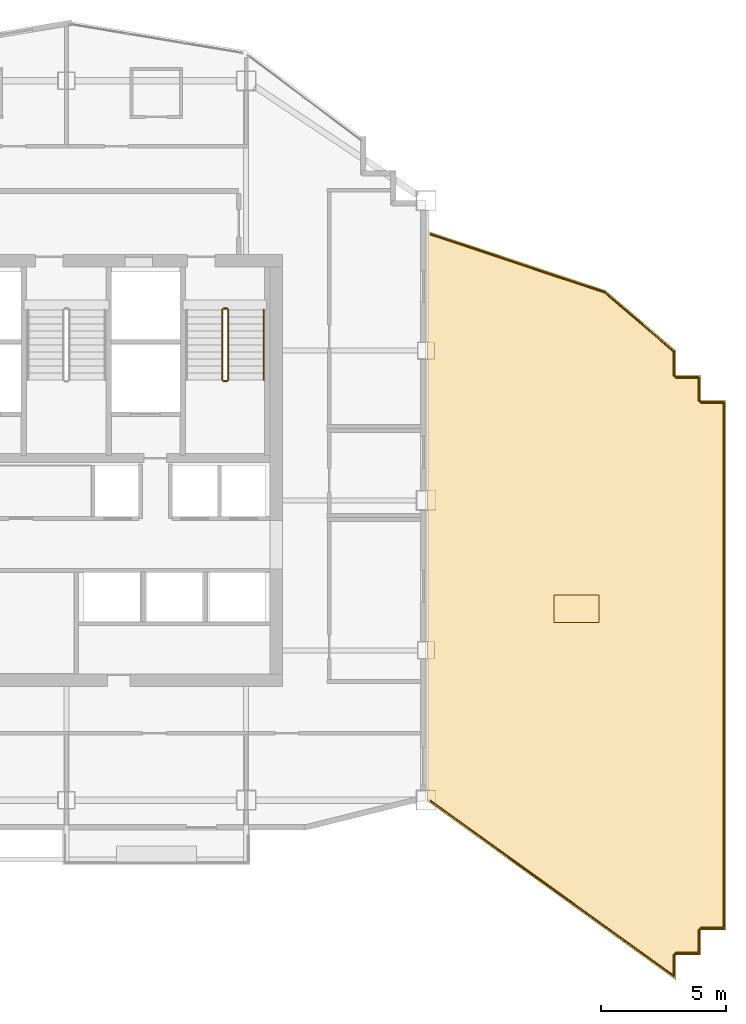
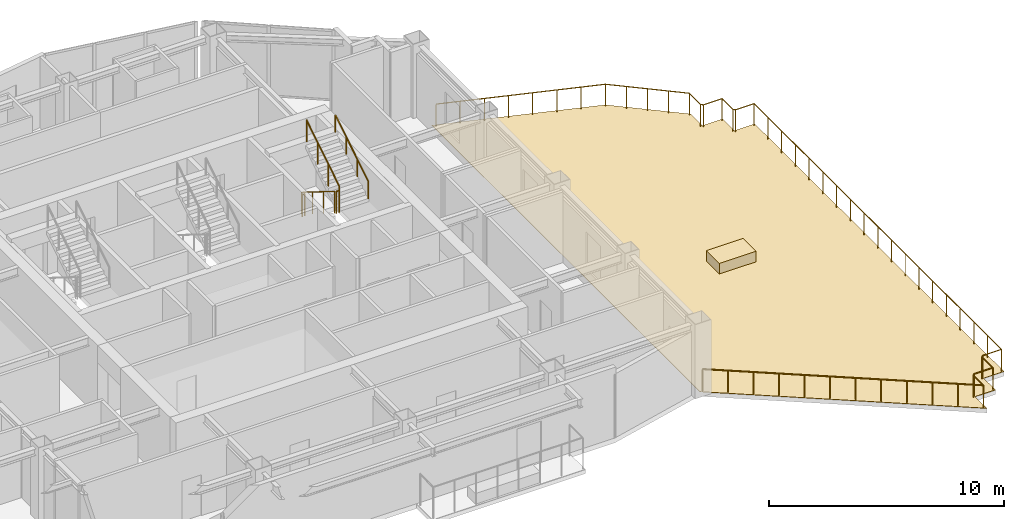
# One storey, part 10 of 10: 7 railings, 2 coverings.
"""IFC4 building model written with IfcOpenShell, lengths in metres."""

from ifc_helpers import new_model, si_unit, direction, frame, origin, origin_2d, place, context, subcontext, project, spatial, polyline, rectangle, circle, outline, extrude, material, layer, layer_set, type_object, element, save


model = new_model("IFC4")

# Units and contexts
model_context = context("Model", 3, precision=1e-05, world=origin(), true_north=direction((0.0, 1.0)))
body_context = subcontext(model_context, "Body", "Model", "MODEL_VIEW")
ifc_project = project(units=[si_unit("LENGTHUNIT", "METRE"), si_unit("AREAUNIT", "SQUARE_METRE"), si_unit("VOLUMEUNIT", "CUBIC_METRE"), si_unit("PLANEANGLEUNIT", "RADIAN"), si_unit("MASSUNIT", "GRAM", prefix="KILO")], contexts=[model_context])

# Site, building, storey
site_placement = place(None, origin())
site = spatial("IfcSite", under=ifc_project, at=site_placement, CompositionType="ELEMENT")
building_placement = place(site_placement, origin())
building = spatial("IfcBuilding", under=site, at=building_placement, Name="Haolan Belvedere Tower", CompositionType="ELEMENT")
storey_placement = place(building_placement, frame((0.0, 0.0, 235.199951171875)))
storey = spatial("IfcBuildingStorey", under=building, at=storey_placement, Name="L59", CompositionType="ELEMENT", Elevation=235.199951171875)

# Coverings
ifc_material_1 = material(Name="Engineered lightweight planted garden soil substrate", Category="masonry")
ifc_layer_1 = layer(ifc_material_1, 0.550048828125, Name="Engineered lightweight planted garden soil substrate")
ifc_layer_set_1 = layer_set([ifc_layer_1], Name="Engineered lightweight planted garden soil substrate")
covering_type_1 = type_object("IfcCoveringType", Name="COV-PLANT-550", PredefinedType="MEMBRANE", material=ifc_layer_set_1)
covering_1_placement = place(storey_placement, frame((58.824951171875, 29.26171875, 0.0), z_axis=(0.0, 0.0, 1.0), x_axis=(1.0, 0.0, 0.0)))
element("IfcCovering", 1, at=covering_1_placement, inside=storey, type_object=covering_type_1, Name="L59 cascade garden terrace PLANTER bed 1", PredefinedType="MEMBRANE", context=body_context, shape_type="SweptSolid", body=[
    extrude(rectangle(XDim=1.800048828125, YDim=1.10009765625, at=origin_2d()), origin(), (0.0, 0.0, 1.0), 0.550048828125),
])
ifc_material_2 = material(Name="Elastomeric waterproof roofing membrane and stone pavers", Category="masonry")
ifc_layer_2 = layer(ifc_material_2, 0.02001953125, Name="Elastomeric waterproof roofing membrane and stone pavers")
ifc_layer_set_2 = layer_set([ifc_layer_2], Name="Elastomeric waterproof roofing membrane and stone pavers")
covering_type_2 = type_object("IfcCoveringType", Name="COV-ROOF-20", PredefinedType="ROOFING", material=ifc_layer_set_2)
covering_2_placement = place(storey_placement, frame((0.0, 0.0, -0.02001953125)))
element("IfcCovering", 2, at=covering_2_placement, inside=storey, type_object=covering_type_2, Name="L59 garden terrace waterproof roofing paver 1", PredefinedType="ROOFING", context=body_context, shape_type="SweptSolid", body=[
    extrude(outline(polyline([(62.800048828125, 14.39990234375), (62.800048828125, 15.396240234375), (62.80029296875, 15.39990234375), (62.8037109375, 15.39990234375), (63.800048828125, 15.39990234375), (63.800048828125, 16.396240234375), (63.80029296875, 16.39990234375), (63.8037109375, 16.39990234375), (64.800048828125, 16.39990234375), (64.800048828125, 37.60009765625), (63.8037109375, 37.60009765625), (63.80029296875, 37.60009765625), (63.800048828125, 37.603759765625), (63.800048828125, 38.60009765625), (62.8037109375, 38.60009765625), (62.80029296875, 38.60009765625), (62.800048828125, 38.603759765625), (62.800048828125, 39.60009765625), (60.0, 42.0), (52.85009765625, 44.38330078125), (52.85009765625, 21.56396484375), (62.800048828125, 14.39990234375)])), origin(), (0.0, 0.0, 1.0), 0.02001953125),
])

# Railings
ifc_material_3 = material(Name="Brushed stainless steel 304", Category="steel")
railing_type_1 = type_object("IfcRailingType", Name="RL-STAIR-GRD-1150", PredefinedType="GUARDRAIL", material=ifc_material_3)
railing_1_placement = place(storey_placement, frame((44.639892578125, 41.22998046875, 0.175048828125)))
element("IfcRailing", 3, at=railing_1_placement, inside=storey, type_object=railing_type_1, Name="L59 ST2 stair guard 1", PredefinedType="GUARDRAIL", context=body_context, shape_type="SweptSolid", body=[
    extrude(circle(Radius=0.02392578125, at=origin_2d()), frame((0.0, 0.0, 1.1259765625), z_axis=(0.0, -0.848002457836, 0.529992293815), x_axis=(1.0, 0.0, 0.0)), (0.0, 0.0, 1.0), 3.302001953125),
    extrude(circle(Radius=0.02099609375, at=origin_2d()), origin(), (0.0, 0.0, 1.0), 1.101806640625),
    extrude(circle(Radius=0.02099609375, at=origin_2d()), frame((0.0, -0.933349609375, 0.583251953125)), (0.0, 0.0, 1.0), 1.101806640625),
    extrude(circle(Radius=0.02099609375, at=origin_2d()), frame((0.0, -1.86669921875, 1.166748046875)), (0.0, 0.0, 1.0), 1.101806640625),
    extrude(circle(Radius=0.02099609375, at=origin_2d()), frame((0.0, -2.800048828125, 1.75)), (0.0, 0.0, 1.0), 1.101806640625),
])
railing_2_placement = place(storey_placement, frame((44.68994140625, 38.3798828125, 1.925048828125)))
element("IfcRailing", 4, at=railing_2_placement, inside=storey, type_object=railing_type_1, Name="L59 ST2 stair guard 2", PredefinedType="GUARDRAIL", context=body_context, shape_type="SweptSolid", body=[
    extrude(circle(Radius=0.02392578125, at=origin_2d()), frame((0.0, 0.0, 1.1259765625), z_axis=(1.0, 0.0, 0.0), x_axis=(0.0, 1.0, 0.0)), (0.0, 0.0, 1.0), 0.14013671875),
    extrude(circle(Radius=0.02099609375, at=origin_2d()), origin(), (0.0, 0.0, 1.0), 1.101806640625),
    extrude(circle(Radius=0.02099609375, at=origin_2d()), frame((0.14013671875, 0.0, 0.0)), (0.0, 0.0, 1.0), 1.101806640625),
])
railing_3_placement = place(storey_placement, frame((44.8798828125, 38.429931640625, 2.10009765625)))
element("IfcRailing", 5, at=railing_3_placement, inside=storey, type_object=railing_type_1, Name="L59 ST2 stair guard 3", PredefinedType="GUARDRAIL", context=body_context, shape_type="SweptSolid", body=[
    extrude(circle(Radius=0.02392578125, at=origin_2d()), frame((0.0, 0.0, 1.1259765625), z_axis=(0.0, 0.848002457836, 0.529992293815), x_axis=(-1.0, 0.0, 0.0)), (0.0, 0.0, 1.0), 3.302001953125),
    extrude(circle(Radius=0.02099609375, at=origin_2d()), origin(), (0.0, 0.0, 1.0), 1.101806640625),
    extrude(circle(Radius=0.02099609375, at=origin_2d()), frame((0.0, 0.933349609375, 0.583251953125)), (0.0, 0.0, 1.0), 1.101806640625),
    extrude(circle(Radius=0.02099609375, at=origin_2d()), frame((0.0, 1.86669921875, 1.166748046875)), (0.0, 0.0, 1.0), 1.101806640625),
    extrude(circle(Radius=0.02099609375, at=origin_2d()), frame((0.0, 2.800048828125, 1.75)), (0.0, 0.0, 1.0), 1.101806640625),
])
railing_4_placement = place(storey_placement, frame((44.68994140625, 41.280029296875, 0.0)))
element("IfcRailing", 6, at=railing_4_placement, inside=storey, type_object=railing_type_1, Name="L59 ST2 stair guard 4", PredefinedType="GUARDRAIL", context=body_context, shape_type="SweptSolid", body=[
    extrude(circle(Radius=0.02392578125, at=origin_2d()), frame((0.0, 0.0, 1.1259765625), z_axis=(1.0, 0.0, 0.0), x_axis=(0.0, 1.0, 0.0)), (0.0, 0.0, 1.0), 0.14013671875),
    extrude(circle(Radius=0.02099609375, at=origin_2d()), origin(), (0.0, 0.0, 1.0), 1.101806640625),
    extrude(circle(Radius=0.02099609375, at=origin_2d()), frame((0.14013671875, 0.0, 0.0)), (0.0, 0.0, 1.0), 1.101806640625),
])
railing_type_2 = type_object("IfcRailingType", Name="RL-STAIR-HND-900", PredefinedType="HANDRAIL", material=ifc_material_3)
railing_5_placement = place(storey_placement, frame((46.300048828125, 38.429931640625, 2.10009765625)))
element("IfcRailing", 7, at=railing_5_placement, inside=storey, type_object=railing_type_2, Name="L59 ST2 stair handrail 2", PredefinedType="HANDRAIL", context=body_context, shape_type="SweptSolid", body=[
    extrude(circle(Radius=0.02392578125, at=origin_2d()), frame((0.0, 0.0, 0.8759765625), z_axis=(0.0, 0.848002457836, 0.529992293815), x_axis=(-1.0, 0.0, 0.0)), (0.0, 0.0, 1.0), 3.302001953125),
    extrude(circle(Radius=0.02099609375, at=origin_2d()), origin(), (0.0, 0.0, 1.0), 0.851806640625),
    extrude(circle(Radius=0.02099609375, at=origin_2d()), frame((0.0, 0.933349609375, 0.583251953125)), (0.0, 0.0, 1.0), 0.851806640625),
    extrude(circle(Radius=0.02099609375, at=origin_2d()), frame((0.0, 1.86669921875, 1.166748046875)), (0.0, 0.0, 1.0), 0.851806640625),
    extrude(circle(Radius=0.02099609375, at=origin_2d()), frame((0.0, 2.800048828125, 1.75)), (0.0, 0.0, 1.0), 0.851806640625),
])
ifc_material_4 = material(Name="Anodised aluminium and laminated glass balustrade", Category="aluminium")
railing_type_3 = type_object("IfcRailingType", Name="RL-TER-BAL-1150", PredefinedType="BALUSTRADE", material=ifc_material_4)
railing_6_placement = place(storey_placement, frame((62.719970703125, 14.55615234375, 0.0)))
element("IfcRailing", 8, at=railing_6_placement, inside=storey, type_object=railing_type_3, Name="L59 outdoor perimeter balustrade TERR-L59-1-1", PredefinedType="BALUSTRADE", context=body_context, shape_type="SweptSolid", body=[
    extrude(circle(Radius=0.02392578125, at=origin_2d()), frame((0.0, 0.0, 1.1259765625), z_axis=(-0.81152855402, 0.584312763861, 0.0), x_axis=(-0.584312763861, -0.81152855402, 0.0)), (0.0, 0.0, 1.0), 12.001953125),
    extrude(circle(Radius=0.02099609375, at=origin_2d()), origin(), (0.0, 0.0, 1.0), 1.101806640625),
    extrude(circle(Radius=0.02099609375, at=origin_2d()), frame((-0.885498046875, 0.637451171875, 0.0)), (0.0, 0.0, 1.0), 1.101806640625),
    extrude(circle(Radius=0.02099609375, at=origin_2d()), frame((-1.77099609375, 1.275146484375, 0.0)), (0.0, 0.0, 1.0), 1.101806640625),
    extrude(circle(Radius=0.02099609375, at=origin_2d()), frame((-2.65625, 1.91259765625, 0.0)), (0.0, 0.0, 1.0), 1.101806640625),
    extrude(circle(Radius=0.02099609375, at=origin_2d()), frame((-3.541748046875, 2.550048828125, 0.0)), (0.0, 0.0, 1.0), 1.101806640625),
    extrude(circle(Radius=0.02099609375, at=origin_2d()), frame((-4.42724609375, 3.187744140625, 0.0)), (0.0, 0.0, 1.0), 1.101806640625),
    extrude(circle(Radius=0.02099609375, at=origin_2d()), frame((-5.312744140625, 3.8251953125, 0.0)), (0.0, 0.0, 1.0), 1.101806640625),
    extrude(circle(Radius=0.02099609375, at=origin_2d()), frame((-6.1982421875, 4.462890625, 0.0)), (0.0, 0.0, 1.0), 1.101806640625),
    extrude(circle(Radius=0.02099609375, at=origin_2d()), frame((-7.083740234375, 5.100341796875, 0.0)), (0.0, 0.0, 1.0), 1.101806640625),
    extrude(circle(Radius=0.02099609375, at=origin_2d()), frame((-7.968994140625, 5.73779296875, 0.0)), (0.0, 0.0, 1.0), 1.101806640625),
    extrude(circle(Radius=0.02099609375, at=origin_2d()), frame((-8.8544921875, 6.37548828125, 0.0)), (0.0, 0.0, 1.0), 1.101806640625),
    extrude(circle(Radius=0.02099609375, at=origin_2d()), frame((-9.739990234375, 7.012939453125, 0.0)), (0.0, 0.0, 1.0), 1.101806640625),
])
railing_7_placement = place(storey_placement, frame((52.97998046875, 44.255615234375, 0.0)))
element("IfcRailing", 9, at=railing_7_placement, inside=storey, type_object=railing_type_3, Name="L59 outdoor perimeter balustrade TERR-L59-1-2", PredefinedType="BALUSTRADE", context=body_context, shape_type="SweptSolid", body=[
    extrude(circle(Radius=0.02392578125, at=origin_2d()), frame((0.0, 0.0, 1.1259765625), z_axis=(0.94868993459, -0.316207855703, 0.0), x_axis=(0.316207855703, 0.94868993459, 0.0)), (0.0, 0.0, 1.0), 7.357177734375),
    extrude(circle(Radius=0.02392578125, at=origin_2d()), frame((6.979736328125, -2.326416015625, 1.1259765625), z_axis=(0.759251862008, -0.650796903832, 0.0), x_axis=(0.650796903832, 0.759251862008, 0.0)), (0.0, 0.0, 1.0), 3.635498046875),
    extrude(circle(Radius=0.02392578125, at=origin_2d()), frame((9.739990234375, -4.6923828125, 1.1259765625), z_axis=(0.0, -1.0, 0.0), x_axis=(1.0, 0.0, 0.0)), (0.0, 0.0, 1.0), 0.9619140625),
    extrude(circle(Radius=0.02392578125, at=origin_2d()), frame((9.739990234375, -5.654296875, 1.1259765625), z_axis=(0.708166115403, -0.706045857572, 0.0), x_axis=(0.706045857572, 0.708166115403, 0.0)), (0.0, 0.0, 1.0), 0.115234375),
    extrude(circle(Radius=0.02392578125, at=origin_2d()), frame((9.821533203125, -5.735595703125, 1.1259765625), z_axis=(1.0, 0.0, 0.0), x_axis=(0.0, 1.0, 0.0)), (0.0, 0.0, 1.0), 0.91845703125),
    extrude(circle(Radius=0.02392578125, at=origin_2d()), frame((10.739990234375, -5.735595703125, 1.1259765625), z_axis=(0.0, -1.0, 0.0), x_axis=(1.0, 0.0, 0.0)), (0.0, 0.0, 1.0), 0.918701171875),
    extrude(circle(Radius=0.02392578125, at=origin_2d()), frame((10.739990234375, -6.654296875, 1.1259765625), z_axis=(0.708166115403, -0.706045857572, 0.0), x_axis=(0.706045857572, 0.708166115403, 0.0)), (0.0, 0.0, 1.0), 0.115234375),
    extrude(circle(Radius=0.02392578125, at=origin_2d()), frame((10.821533203125, -6.735595703125, 1.1259765625), z_axis=(1.0, 0.0, 0.0), x_axis=(0.0, 1.0, 0.0)), (0.0, 0.0, 1.0), 0.91845703125),
    extrude(circle(Radius=0.02392578125, at=origin_2d()), frame((11.739990234375, -6.735595703125, 1.1259765625), z_axis=(0.0, -1.0, 0.0), x_axis=(1.0, 0.0, 0.0)), (0.0, 0.0, 1.0), 21.0400390625),
    extrude(circle(Radius=0.02392578125, at=origin_2d()), frame((11.739990234375, -27.775634765625, 1.1259765625), z_axis=(-1.0, 0.0, 0.0), x_axis=(0.0, -1.0, 0.0)), (0.0, 0.0, 1.0), 0.91845703125),
    extrude(circle(Radius=0.02392578125, at=origin_2d()), frame((10.821533203125, -27.775634765625, 1.1259765625), z_axis=(-0.708166115403, -0.706045857572, 0.0), x_axis=(0.706045857572, -0.708166115403, 0.0)), (0.0, 0.0, 1.0), 0.115234375),
    extrude(circle(Radius=0.02392578125, at=origin_2d()), frame((10.739990234375, -27.85693359375, 1.1259765625), z_axis=(0.0, -1.0, 0.0), x_axis=(1.0, 0.0, 0.0)), (0.0, 0.0, 1.0), 0.918701171875),
    extrude(circle(Radius=0.02392578125, at=origin_2d()), frame((10.739990234375, -28.775634765625, 1.1259765625), z_axis=(-1.0, 0.0, 0.0), x_axis=(0.0, -1.0, 0.0)), (0.0, 0.0, 1.0), 0.91845703125),
    extrude(circle(Radius=0.02392578125, at=origin_2d()), frame((9.821533203125, -28.775634765625, 1.1259765625), z_axis=(-0.708166115403, -0.706045857572, 0.0), x_axis=(0.706045857572, -0.708166115403, 0.0)), (0.0, 0.0, 1.0), 0.115234375),
    extrude(circle(Radius=0.02392578125, at=origin_2d()), frame((9.739990234375, -28.85693359375, 1.1259765625), z_axis=(0.0, -1.0, 0.0), x_axis=(1.0, 0.0, 0.0)), (0.0, 0.0, 1.0), 0.842529296875),
    extrude(circle(Radius=0.02099609375, at=origin_2d()), origin(), (0.0, 0.0, 1.0), 1.101806640625),
    extrude(circle(Radius=0.02099609375, at=origin_2d()), frame((0.9970703125, -0.332275390625, 0.0)), (0.0, 0.0, 1.0), 1.101806640625),
    extrude(circle(Radius=0.02099609375, at=origin_2d()), frame((1.994140625, -0.664794921875, 0.0)), (0.0, 0.0, 1.0), 1.101806640625),
    extrude(circle(Radius=0.02099609375, at=origin_2d()), frame((2.9912109375, -0.9970703125, 0.0)), (0.0, 0.0, 1.0), 1.101806640625),
    extrude(circle(Radius=0.02099609375, at=origin_2d()), frame((3.988525390625, -1.329345703125, 0.0)), (0.0, 0.0, 1.0), 1.101806640625),
    extrude(circle(Radius=0.02099609375, at=origin_2d()), frame((4.985595703125, -1.66162109375, 0.0)), (0.0, 0.0, 1.0), 1.101806640625),
    extrude(circle(Radius=0.02099609375, at=origin_2d()), frame((5.982666015625, -1.994140625, 0.0)), (0.0, 0.0, 1.0), 1.101806640625),
    extrude(circle(Radius=0.02099609375, at=origin_2d()), frame((6.979736328125, -2.326416015625, 0.0)), (0.0, 0.0, 1.0), 1.101806640625),
    extrude(circle(Radius=0.02099609375, at=origin_2d()), frame((7.669921875, -2.91796875, 0.0)), (0.0, 0.0, 1.0), 1.101806640625),
    extrude(circle(Radius=0.02099609375, at=origin_2d()), frame((8.35986328125, -3.50927734375, 0.0)), (0.0, 0.0, 1.0), 1.101806640625),
    extrude(circle(Radius=0.02099609375, at=origin_2d()), frame((9.0498046875, -4.100830078125, 0.0)), (0.0, 0.0, 1.0), 1.101806640625),
    extrude(circle(Radius=0.02099609375, at=origin_2d()), frame((9.739990234375, -4.6923828125, 0.0)), (0.0, 0.0, 1.0), 1.101806640625),
    extrude(circle(Radius=0.02099609375, at=origin_2d()), frame((9.739990234375, -5.654296875, 0.0)), (0.0, 0.0, 1.0), 1.101806640625),
    extrude(circle(Radius=0.02099609375, at=origin_2d()), frame((9.821533203125, -5.735595703125, 0.0)), (0.0, 0.0, 1.0), 1.101806640625),
    extrude(circle(Radius=0.02099609375, at=origin_2d()), frame((10.739990234375, -5.735595703125, 0.0)), (0.0, 0.0, 1.0), 1.101806640625),
    extrude(circle(Radius=0.02099609375, at=origin_2d()), frame((10.739990234375, -6.654296875, 0.0)), (0.0, 0.0, 1.0), 1.101806640625),
    extrude(circle(Radius=0.02099609375, at=origin_2d()), frame((10.821533203125, -6.735595703125, 0.0)), (0.0, 0.0, 1.0), 1.101806640625),
    extrude(circle(Radius=0.02099609375, at=origin_2d()), frame((11.739990234375, -6.735595703125, 0.0)), (0.0, 0.0, 1.0), 1.101806640625),
    extrude(circle(Radius=0.02099609375, at=origin_2d()), frame((11.739990234375, -7.904541015625, 0.0)), (0.0, 0.0, 1.0), 1.101806640625),
    extrude(circle(Radius=0.02099609375, at=origin_2d()), frame((11.739990234375, -9.073486328125, 0.0)), (0.0, 0.0, 1.0), 1.101806640625),
    extrude(circle(Radius=0.02099609375, at=origin_2d()), frame((11.739990234375, -10.2421875, 0.0)), (0.0, 0.0, 1.0), 1.101806640625),
    extrude(circle(Radius=0.02099609375, at=origin_2d()), frame((11.739990234375, -11.4111328125, 0.0)), (0.0, 0.0, 1.0), 1.101806640625),
    extrude(circle(Radius=0.02099609375, at=origin_2d()), frame((11.739990234375, -12.580078125, 0.0)), (0.0, 0.0, 1.0), 1.101806640625),
    extrude(circle(Radius=0.02099609375, at=origin_2d()), frame((11.739990234375, -13.7490234375, 0.0)), (0.0, 0.0, 1.0), 1.101806640625),
    extrude(circle(Radius=0.02099609375, at=origin_2d()), frame((11.739990234375, -14.917724609375, 0.0)), (0.0, 0.0, 1.0), 1.101806640625),
    extrude(circle(Radius=0.02099609375, at=origin_2d()), frame((11.739990234375, -16.086669921875, 0.0)), (0.0, 0.0, 1.0), 1.101806640625),
    extrude(circle(Radius=0.02099609375, at=origin_2d()), frame((11.739990234375, -17.255615234375, 0.0)), (0.0, 0.0, 1.0), 1.101806640625),
    extrude(circle(Radius=0.02099609375, at=origin_2d()), frame((11.739990234375, -18.424560546875, 0.0)), (0.0, 0.0, 1.0), 1.101806640625),
    extrude(circle(Radius=0.02099609375, at=origin_2d()), frame((11.739990234375, -19.593505859375, 0.0)), (0.0, 0.0, 1.0), 1.101806640625),
    extrude(circle(Radius=0.02099609375, at=origin_2d()), frame((11.739990234375, -20.76220703125, 0.0)), (0.0, 0.0, 1.0), 1.101806640625),
    extrude(circle(Radius=0.02099609375, at=origin_2d()), frame((11.739990234375, -21.93115234375, 0.0)), (0.0, 0.0, 1.0), 1.101806640625),
    extrude(circle(Radius=0.02099609375, at=origin_2d()), frame((11.739990234375, -23.10009765625, 0.0)), (0.0, 0.0, 1.0), 1.101806640625),
    extrude(circle(Radius=0.02099609375, at=origin_2d()), frame((11.739990234375, -24.26904296875, 0.0)), (0.0, 0.0, 1.0), 1.101806640625),
    extrude(circle(Radius=0.02099609375, at=origin_2d()), frame((11.739990234375, -25.437744140625, 0.0)), (0.0, 0.0, 1.0), 1.101806640625),
    extrude(circle(Radius=0.02099609375, at=origin_2d()), frame((11.739990234375, -26.606689453125, 0.0)), (0.0, 0.0, 1.0), 1.101806640625),
    extrude(circle(Radius=0.02099609375, at=origin_2d()), frame((11.739990234375, -27.775634765625, 0.0)), (0.0, 0.0, 1.0), 1.101806640625),
    extrude(circle(Radius=0.02099609375, at=origin_2d()), frame((10.821533203125, -27.775634765625, 0.0)), (0.0, 0.0, 1.0), 1.101806640625),
    extrude(circle(Radius=0.02099609375, at=origin_2d()), frame((10.739990234375, -27.85693359375, 0.0)), (0.0, 0.0, 1.0), 1.101806640625),
    extrude(circle(Radius=0.02099609375, at=origin_2d()), frame((10.739990234375, -28.775634765625, 0.0)), (0.0, 0.0, 1.0), 1.101806640625),
    extrude(circle(Radius=0.02099609375, at=origin_2d()), frame((9.821533203125, -28.775634765625, 0.0)), (0.0, 0.0, 1.0), 1.101806640625),
    extrude(circle(Radius=0.02099609375, at=origin_2d()), frame((9.739990234375, -28.85693359375, 0.0)), (0.0, 0.0, 1.0), 1.101806640625),
    extrude(circle(Radius=0.02099609375, at=origin_2d()), frame((9.739990234375, -29.699462890625, 0.0)), (0.0, 0.0, 1.0), 1.101806640625),
])

save(model, "model.ifc")
